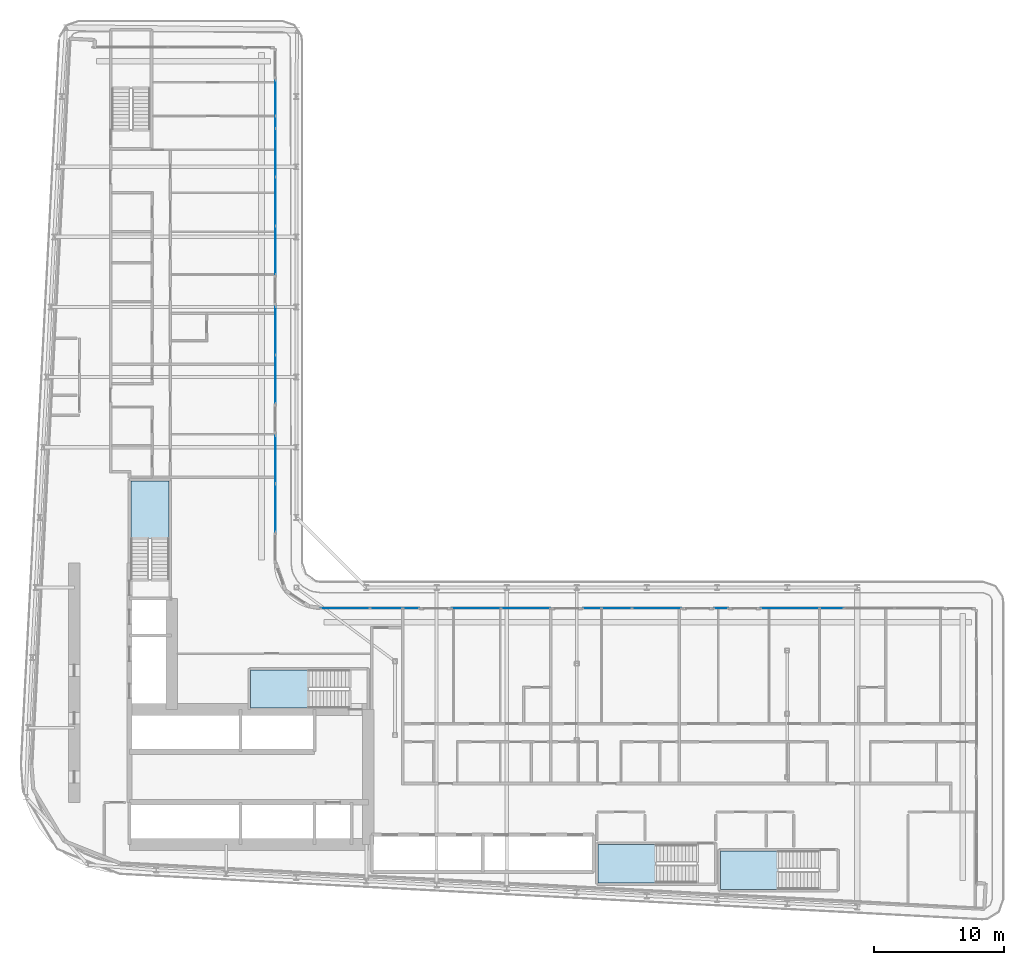
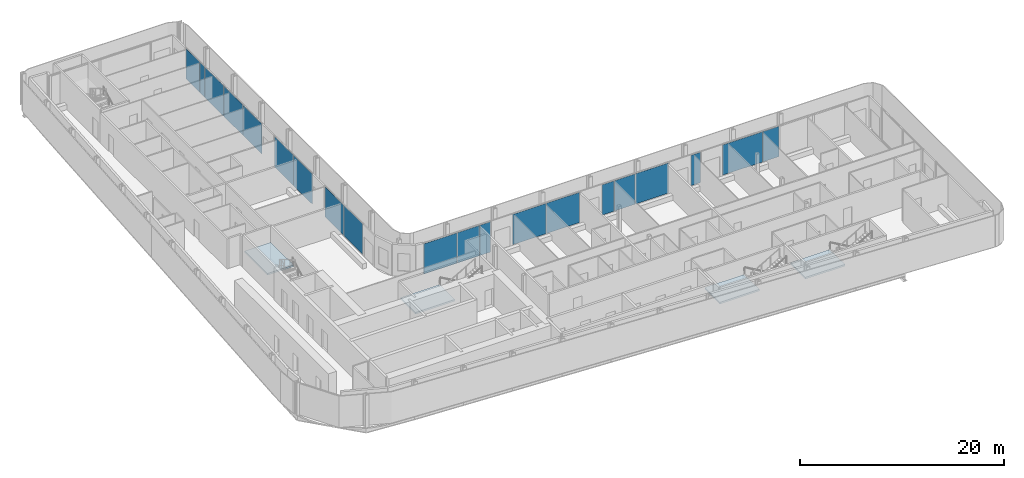
# One storey, part 10 of 27: 20 plates, 4 slabs, 13 elements without a shape of their own.
"""IFC4 building model written with IfcOpenShell, lengths in metres."""

from ifc_helpers import new_model, si_unit, direction, frame, origin, origin_2d, place, context, subcontext, project, spatial, polyline, rectangle, outline, extrude, material, layer, layer_set, type_object, element, aggregate, save


model = new_model("IFC4")

# Units and contexts
model_context = context("Model", 3, precision=1e-05, world=origin(), true_north=direction((0.0, 1.0)))
body_context = subcontext(model_context, "Body", "Model", "MODEL_VIEW")
ifc_project = project(units=[si_unit("LENGTHUNIT", "METRE"), si_unit("AREAUNIT", "SQUARE_METRE"), si_unit("VOLUMEUNIT", "CUBIC_METRE"), si_unit("PLANEANGLEUNIT", "RADIAN"), si_unit("MASSUNIT", "GRAM", prefix="KILO")], contexts=[model_context])

# Site, building, storey
site_placement = place(None, origin())
site = spatial("IfcSite", under=ifc_project, at=site_placement, CompositionType="ELEMENT")
building_placement = place(site_placement, origin())
building = spatial("IfcBuilding", under=site, at=building_placement, Name="Kheshtan School and Residences Tower", CompositionType="ELEMENT")
storey_placement = place(building_placement, frame((0.0, 0.0, 98.0)))
storey = spatial("IfcBuildingStorey", under=building, at=storey_placement, Name="L22", CompositionType="ELEMENT", Elevation=98.0)

# Curtain wall, plates
ifc_material_1 = material(Name="Clear low-e glass in thermally broken aluminium frame", Category="aluminium")
ifc_layer_1 = layer(ifc_material_1, 0.199951171875)
ifc_layer_set_1 = layer_set([ifc_layer_1], Name="Curtain wall CW-L")
curtain_wall_type = type_object("IfcCurtainWallType", Name="Curtain wall CW-L", PredefinedType="NOTDEFINED", material=ifc_layer_set_1)
curtain_wall_1_placement = place(storey_placement, origin())
curtain_wall_1 = element("IfcCurtainWall", 1, at=curtain_wall_1_placement, inside=storey, type_object=curtain_wall_type, Name="Curtain wall CWL4", PredefinedType="NOTDEFINED")
ifc_layer_2 = layer(ifc_material_1, 0.031982421875)
ifc_layer_set_2 = layer_set([ifc_layer_2], Name="CW-L glass panel")
plate_type = type_object("IfcPlateType", Name="CW-L glass panel", PredefinedType="CURTAIN_PANEL", material=ifc_layer_set_2)
plate_1_placement = place(storey_placement, frame((46.0, 83.284912109375, 0.0), z_axis=(0.0, 0.0, 1.0), x_axis=(0.0, -1.0, 0.0)))
plate_1 = element("IfcPlate", 2, at=plate_1_placement, type_object=plate_type, Name="CWL4 panel 1.1", PredefinedType="CURTAIN_PANEL", context=body_context, shape_type="SweptSolid", body=[
    extrude(rectangle(XDim=2.7099609375, YDim=0.031982421875, at=origin_2d()), origin(), (0.0, 0.0, 1.0), 3.6298828125),
])
plate_2_placement = place(storey_placement, frame((46.0, 81.420654296875, 0.0), z_axis=(0.0, 0.0, 1.0), x_axis=(0.0, -1.0, 0.0)))
plate_2 = element("IfcPlate", 3, at=plate_2_placement, type_object=plate_type, Name="CWL4 panel 2.1", PredefinedType="CURTAIN_PANEL", context=body_context, shape_type="SweptSolid", body=[
    extrude(rectangle(XDim=0.898681640625, YDim=0.031982421875, at=origin_2d()), origin(), (0.0, 0.0, 1.0), 3.6298828125),
])
plate_3_placement = place(storey_placement, frame((46.0, 79.076904296875, 0.0), z_axis=(0.0, 0.0, 1.0), x_axis=(0.0, -1.0, 0.0)))
plate_3 = element("IfcPlate", 4, at=plate_3_placement, type_object=plate_type, Name="CWL4 panel 3.1", PredefinedType="CURTAIN_PANEL", context=body_context, shape_type="SweptSolid", body=[
    extrude(rectangle(XDim=3.668701171875, YDim=0.031982421875, at=origin_2d()), origin(), (0.0, 0.0, 1.0), 3.6298828125),
])
aggregate(curtain_wall_1, [plate_1, plate_2, plate_3])

curtain_wall_2_placement = place(storey_placement, origin())
curtain_wall_2 = element("IfcCurtainWall", 5, at=curtain_wall_2_placement, inside=storey, type_object=curtain_wall_type, Name="Curtain wall CWL4a", PredefinedType="NOTDEFINED")
plate_4_placement = place(storey_placement, frame((46.0, 75.318115234375, 0.0), z_axis=(0.0, 0.0, 1.0), x_axis=(0.0, -1.0, 0.0)))
plate_4 = element("IfcPlate", 6, at=plate_4_placement, type_object=plate_type, Name="CWL4a panel 1.1", PredefinedType="CURTAIN_PANEL", context=body_context, shape_type="SweptSolid", body=[
    extrude(rectangle(XDim=3.728759765625, YDim=0.031982421875, at=origin_2d()), origin(), (0.0, 0.0, 1.0), 3.6298828125),
])
plate_5_placement = place(storey_placement, frame((46.0, 71.559326171875, 0.0), z_axis=(0.0, 0.0, 1.0), x_axis=(0.0, -1.0, 0.0)))
plate_5 = element("IfcPlate", 7, at=plate_5_placement, type_object=plate_type, Name="CWL4a panel 2.1", PredefinedType="CURTAIN_PANEL", context=body_context, shape_type="SweptSolid", body=[
    extrude(rectangle(XDim=3.668701171875, YDim=0.031982421875, at=origin_2d()), origin(), (0.0, 0.0, 1.0), 3.6298828125),
])
aggregate(curtain_wall_2, [plate_4, plate_5])

curtain_wall_3_placement = place(storey_placement, origin())
curtain_wall_3 = element("IfcCurtainWall", 8, at=curtain_wall_3_placement, inside=storey, type_object=curtain_wall_type, Name="Curtain wall CWL4a", PredefinedType="NOTDEFINED")
plate_6_placement = place(storey_placement, frame((46.0, 65.37060546875, 0.0), z_axis=(0.0, 0.0, 1.0), x_axis=(0.0, -1.0, 0.0)))
plate_6 = element("IfcPlate", 9, at=plate_6_placement, type_object=plate_type, Name="CWL4a panel 1.1", PredefinedType="CURTAIN_PANEL", context=body_context, shape_type="SweptSolid", body=[
    extrude(rectangle(XDim=3.668701171875, YDim=0.031982421875, at=origin_2d()), origin(), (0.0, 0.0, 1.0), 3.6298828125),
])
plate_7_placement = place(storey_placement, frame((46.0, 61.641845703125, 0.0), z_axis=(0.0, 0.0, 1.0), x_axis=(0.0, -1.0, 0.0)))
plate_7 = element("IfcPlate", 10, at=plate_7_placement, type_object=plate_type, Name="CWL4a panel 2.1", PredefinedType="CURTAIN_PANEL", context=body_context, shape_type="SweptSolid", body=[
    extrude(rectangle(XDim=3.668701171875, YDim=0.031982421875, at=origin_2d()), origin(), (0.0, 0.0, 1.0), 3.6298828125),
])
aggregate(curtain_wall_3, [plate_6, plate_7])

curtain_wall_4_placement = place(storey_placement, origin())
curtain_wall_4 = element("IfcCurtainWall", 11, at=curtain_wall_4_placement, inside=storey, type_object=curtain_wall_type, Name="Curtain wall CWL4a", PredefinedType="NOTDEFINED")
plate_8_placement = place(storey_placement, frame((46.0, 55.453125, 0.0), z_axis=(0.0, 0.0, 1.0), x_axis=(0.0, -1.0, 0.0)))
plate_8 = element("IfcPlate", 12, at=plate_8_placement, type_object=plate_type, Name="CWL4a panel 1.1", PredefinedType="CURTAIN_PANEL", context=body_context, shape_type="SweptSolid", body=[
    extrude(rectangle(XDim=3.668701171875, YDim=0.031982421875, at=origin_2d()), origin(), (0.0, 0.0, 1.0), 3.6298828125),
])
plate_9_placement = place(storey_placement, frame((46.0, 51.724365234375, 0.0), z_axis=(0.0, 0.0, 1.0), x_axis=(0.0, -1.0, 0.0)))
plate_9 = element("IfcPlate", 13, at=plate_9_placement, type_object=plate_type, Name="CWL4a panel 2.1", PredefinedType="CURTAIN_PANEL", context=body_context, shape_type="SweptSolid", body=[
    extrude(rectangle(XDim=3.668701171875, YDim=0.031982421875, at=origin_2d()), origin(), (0.0, 0.0, 1.0), 3.6298828125),
])
aggregate(curtain_wall_4, [plate_8, plate_9])

curtain_wall_5_placement = place(storey_placement, origin())
curtain_wall_5 = element("IfcCurtainWall", 14, at=curtain_wall_5_placement, inside=storey, type_object=curtain_wall_type, Name="Curtain wall CWL8c", PredefinedType="NOTDEFINED")
plate_10_placement = place(storey_placement, frame((51.368408203125, 44.0, 0.0), z_axis=(0.0, 0.0, 1.0), x_axis=(1.0, 0.0, 0.0)))
plate_10 = element("IfcPlate", 15, at=plate_10_placement, type_object=plate_type, Name="CWL8c panel 1.1", PredefinedType="CURTAIN_PANEL", context=body_context, shape_type="SweptSolid", body=[
    extrude(rectangle(XDim=3.757080078125, YDim=0.031982421875, at=origin_2d()), origin(), (0.0, 0.0, 1.0), 3.6298828125),
])
plate_11_placement = place(storey_placement, frame((54.53857421875, 44.0, 0.0), z_axis=(0.0, 0.0, 1.0), x_axis=(1.0, 0.0, 0.0)))
plate_11 = element("IfcPlate", 16, at=plate_11_placement, type_object=plate_type, Name="CWL8c panel 2.1", PredefinedType="CURTAIN_PANEL", context=body_context, shape_type="SweptSolid", body=[
    extrude(rectangle(XDim=2.462890625, YDim=0.031982421875, at=origin_2d()), origin(), (0.0, 0.0, 1.0), 3.6298828125),
])
plate_12_placement = place(storey_placement, frame((56.447021484375, 44.0, 0.0), z_axis=(0.0, 0.0, 1.0), x_axis=(1.0, 0.0, 0.0)))
plate_12 = element("IfcPlate", 17, at=plate_12_placement, type_object=plate_type, Name="CWL8c panel 3.1", PredefinedType="CURTAIN_PANEL", context=body_context, shape_type="SweptSolid", body=[
    extrude(rectangle(XDim=1.23388671875, YDim=0.031982421875, at=origin_2d()), origin(), (0.0, 0.0, 1.0), 3.6298828125),
])
aggregate(curtain_wall_5, [plate_10, plate_11, plate_12])

curtain_wall_6_placement = place(storey_placement, origin())
curtain_wall_6 = element("IfcCurtainWall", 18, at=curtain_wall_6_placement, inside=storey, type_object=curtain_wall_type, Name="Curtain wall CWL8", PredefinedType="NOTDEFINED")
plate_13_placement = place(storey_placement, frame((61.46240234375, 44.0, 0.0), z_axis=(0.0, 0.0, 1.0), x_axis=(1.0, 0.0, 0.0)))
plate_13 = element("IfcPlate", 19, at=plate_13_placement, type_object=plate_type, Name="CWL8 panel 1.1", PredefinedType="CURTAIN_PANEL", context=body_context, shape_type="SweptSolid", body=[
    extrude(rectangle(XDim=3.757080078125, YDim=0.031982421875, at=origin_2d()), origin(), (0.0, 0.0, 1.0), 3.6298828125),
])
plate_14_placement = place(storey_placement, frame((65.279541015625, 44.0, 0.0), z_axis=(0.0, 0.0, 1.0), x_axis=(1.0, 0.0, 0.0)))
plate_14 = element("IfcPlate", 20, at=plate_14_placement, type_object=plate_type, Name="CWL8 panel 2.1", PredefinedType="CURTAIN_PANEL", context=body_context, shape_type="SweptSolid", body=[
    extrude(rectangle(XDim=3.757080078125, YDim=0.031982421875, at=origin_2d()), origin(), (0.0, 0.0, 1.0), 3.6298828125),
])
aggregate(curtain_wall_6, [plate_13, plate_14])

curtain_wall_7_placement = place(storey_placement, origin())
curtain_wall_7 = element("IfcCurtainWall", 21, at=curtain_wall_7_placement, inside=storey, type_object=curtain_wall_type, Name="Curtain wall CWL8c", PredefinedType="NOTDEFINED")
plate_15_placement = place(storey_placement, frame((70.3740234375, 44.0, 0.0), z_axis=(0.0, 0.0, 1.0), x_axis=(1.0, 0.0, 0.0)))
plate_15 = element("IfcPlate", 22, at=plate_15_placement, type_object=plate_type, Name="CWL8c panel 1.1", PredefinedType="CURTAIN_PANEL", context=body_context, shape_type="SweptSolid", body=[
    extrude(rectangle(XDim=1.39208984375, YDim=0.031982421875, at=origin_2d()), origin(), (0.0, 0.0, 1.0), 3.6298828125),
])
plate_16_placement = place(storey_placement, frame((72.282470703125, 44.0, 0.0), z_axis=(0.0, 0.0, 1.0), x_axis=(1.0, 0.0, 0.0)))
plate_16 = element("IfcPlate", 23, at=plate_16_placement, type_object=plate_type, Name="CWL8c panel 2.1", PredefinedType="CURTAIN_PANEL", context=body_context, shape_type="SweptSolid", body=[
    extrude(rectangle(XDim=2.304931640625, YDim=0.031982421875, at=origin_2d()), origin(), (0.0, 0.0, 1.0), 3.6298828125),
])
plate_17_placement = place(storey_placement, frame((75.37353515625, 44.0, 0.0), z_axis=(0.0, 0.0, 1.0), x_axis=(1.0, 0.0, 0.0)))
plate_17 = element("IfcPlate", 24, at=plate_17_placement, type_object=plate_type, Name="CWL8c panel 3.1", PredefinedType="CURTAIN_PANEL", context=body_context, shape_type="SweptSolid", body=[
    extrude(rectangle(XDim=3.757080078125, YDim=0.031982421875, at=origin_2d()), origin(), (0.0, 0.0, 1.0), 3.6298828125),
])
aggregate(curtain_wall_7, [plate_15, plate_16, plate_17])

# Curtain wall, plate
curtain_wall_8_placement = place(storey_placement, origin())
curtain_wall_8 = element("IfcCurtainWall", 25, at=curtain_wall_8_placement, inside=storey, type_object=curtain_wall_type, Name="Curtain wall CWL8g", PredefinedType="NOTDEFINED")
plate_18_placement = place(storey_placement, frame((80.31201171875, 44.0, 0.0), z_axis=(0.0, 0.0, 1.0), x_axis=(1.0, 0.0, 0.0)))
plate_18 = element("IfcPlate", 26, at=plate_18_placement, type_object=plate_type, Name="CWL8g panel 1.1", PredefinedType="CURTAIN_PANEL", context=body_context, shape_type="SweptSolid", body=[
    extrude(rectangle(XDim=1.080078125, YDim=0.031982421875, at=origin_2d()), origin(), (0.0, 0.0, 1.0), 3.6298828125),
])
aggregate(curtain_wall_8, [plate_18])

# Curtain wall, plates
curtain_wall_9_placement = place(storey_placement, origin())
curtain_wall_9 = element("IfcCurtainWall", 27, at=curtain_wall_9_placement, inside=storey, type_object=curtain_wall_type, Name="Curtain wall CWL8k", PredefinedType="NOTDEFINED")
plate_19_placement = place(storey_placement, frame((85.62109375, 44.0, 0.0), z_axis=(0.0, 0.0, 1.0), x_axis=(1.0, 0.0, 0.0)))
plate_19 = element("IfcPlate", 28, at=plate_19_placement, type_object=plate_type, Name="CWL8k panel 1.1", PredefinedType="CURTAIN_PANEL", context=body_context, shape_type="SweptSolid", body=[
    extrude(rectangle(XDim=4.498046875, YDim=0.031982421875, at=origin_2d()), origin(), (0.0, 0.0, 1.0), 3.6298828125),
])
plate_20_placement = place(storey_placement, frame((88.837890625, 44.0, 0.0), z_axis=(0.0, 0.0, 1.0), x_axis=(1.0, 0.0, 0.0)))
plate_20 = element("IfcPlate", 29, at=plate_20_placement, type_object=plate_type, Name="CWL8k panel 2.1", PredefinedType="CURTAIN_PANEL", context=body_context, shape_type="SweptSolid", body=[
    extrude(rectangle(XDim=1.81591796875, YDim=0.031982421875, at=origin_2d()), origin(), (0.0, 0.0, 1.0), 3.6298828125),
])
aggregate(curtain_wall_9, [plate_19, plate_20])

# Stair, slab
ifc_material_2 = material(Name="Concrete C40/50", Category="concrete")
stair_type = type_object("IfcStairType", Name="Exit stair, half-turn", PredefinedType="HALF_TURN_STAIR", material=ifc_material_2)
stair_1_placement = place(storey_placement, origin())
stair_1 = element("IfcStair", 30, at=stair_1_placement, inside=storey, type_object=stair_type, Name="L22 Protected Exit Stair ST1", PredefinedType="HALF_TURN_STAIR")
ifc_layer_3 = layer(ifc_material_2, 0.199951171875)
ifc_layer_set_3 = layer_set([ifc_layer_3], Name="Stair landing 200 Concrete C40/50")
slab_type = type_object("IfcSlabType", Name="Stair landing 200 Concrete C40/50", PredefinedType="LANDING", material=ifc_layer_set_3)
slab_1_placement = place(storey_placement, frame((0.0, 0.0, 1.75)))
slab_1 = element("IfcSlab", 31, at=slab_1_placement, type_object=slab_type, Name="ST1 landing 1", PredefinedType="LANDING", context=body_context, shape_type="SweptSolid", body=[
    extrude(outline(polyline([(48.570068359375, 39.25), (44.090087890625, 39.25), (44.090087890625, 36.300048828125), (48.570068359375, 36.300048828125), (48.570068359375, 39.25)])), origin(), (0.0, 0.0, 1.0), 0.199951171875),
])
aggregate(stair_1, [slab_1])

stair_2_placement = place(storey_placement, origin())
stair_2 = element("IfcStair", 32, at=stair_2_placement, inside=storey, type_object=stair_type, Name="L22 Protected Exit Stair ST2", PredefinedType="HALF_TURN_STAIR")
slab_2_placement = place(storey_placement, frame((0.0, 0.0, 1.75)))
slab_2 = element("IfcSlab", 33, at=slab_2_placement, type_object=slab_type, Name="ST2 landing 1", PredefinedType="LANDING", context=body_context, shape_type="SweptSolid", body=[
    extrude(outline(polyline([(37.800048828125, 49.330078125), (37.800048828125, 53.81005859375), (34.85009765625, 53.81005859375), (34.85009765625, 49.330078125), (37.800048828125, 49.330078125)])), origin(), (0.0, 0.0, 1.0), 0.199951171875),
])
aggregate(stair_2, [slab_2])

stair_3_placement = place(storey_placement, origin())
stair_3 = element("IfcStair", 34, at=stair_3_placement, inside=storey, type_object=stair_type, Name="L22 Protected Exit Stair ST4", PredefinedType="HALF_TURN_STAIR")
slab_3_placement = place(storey_placement, frame((0.0, 0.0, 1.75)))
slab_3 = element("IfcSlab", 35, at=slab_3_placement, type_object=slab_type, Name="ST4 landing 1", PredefinedType="LANDING", context=body_context, shape_type="SweptSolid", body=[
    extrude(outline(polyline([(84.739990234375, 25.300048828125), (80.260009765625, 25.300048828125), (80.260009765625, 22.35009765625), (84.739990234375, 22.35009765625), (84.739990234375, 25.300048828125)])), origin(), (0.0, 0.0, 1.0), 0.199951171875),
])
aggregate(stair_3, [slab_3])

stair_4_placement = place(storey_placement, origin())
stair_4 = element("IfcStair", 36, at=stair_4_placement, inside=storey, type_object=stair_type, Name="L22 Protected Exit Stair ST5", PredefinedType="HALF_TURN_STAIR")
slab_4_placement = place(storey_placement, frame((0.0, 0.0, 1.75)))
slab_4 = element("IfcSlab", 37, at=slab_4_placement, type_object=slab_type, Name="ST5 landing 1", PredefinedType="LANDING", context=body_context, shape_type="SweptSolid", body=[
    extrude(outline(polyline([(75.330078125, 25.800048828125), (70.85009765625, 25.800048828125), (70.85009765625, 22.85009765625), (75.330078125, 22.85009765625), (75.330078125, 25.800048828125)])), origin(), (0.0, 0.0, 1.0), 0.199951171875),
])
aggregate(stair_4, [slab_4])

save(model, "model.ifc")
